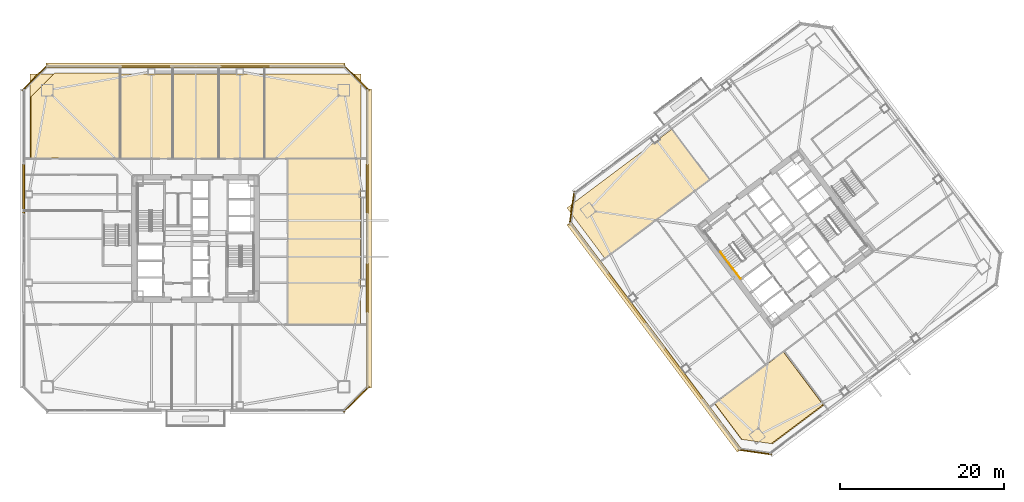
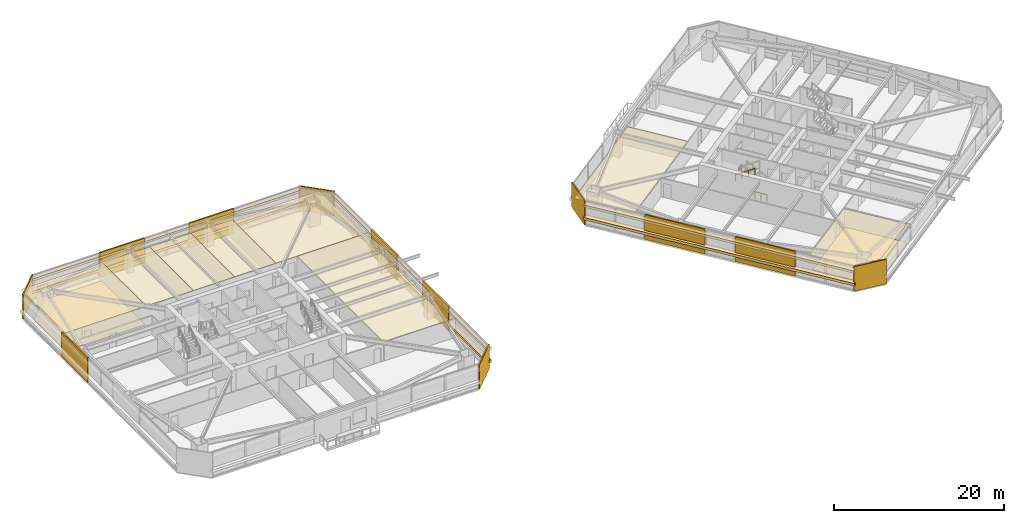
# One storey, part 40 of 44: 28 coverings, 2 railings.
"""IFC4 building model written with IfcOpenShell, lengths in metres."""

from ifc_helpers import new_model, si_unit, direction, frame, origin, origin_2d, place, context, subcontext, project, spatial, polyline, rectangle, outline, extrude, material, layer, layer_set, type_object, element, save


model = new_model("IFC4")

# Units and contexts
model_context = context("Model", 3, precision=1e-05, world=origin(), true_north=direction((0.0, 1.0)))
body_context = subcontext(model_context, "Body", "Model", "MODEL_VIEW")
ifc_project = project(units=[si_unit("LENGTHUNIT", "METRE"), si_unit("AREAUNIT", "SQUARE_METRE"), si_unit("VOLUMEUNIT", "CUBIC_METRE"), si_unit("PLANEANGLEUNIT", "RADIAN"), si_unit("MASSUNIT", "GRAM", prefix="KILO")], contexts=[model_context])

# Site, building, storey
site_placement = place(None, origin())
site = spatial("IfcSite", under=ifc_project, at=site_placement, CompositionType="ELEMENT")
building_placement = place(site_placement, origin())
building = spatial("IfcBuilding", under=site, at=building_placement, Name="Tashvorn Skyway Center", CompositionType="ELEMENT")
storey_placement = place(building_placement, frame((0.0, 0.0, 95.60009765625)))
storey = spatial("IfcBuildingStorey", under=building, at=storey_placement, Name="L25", CompositionType="ELEMENT", Elevation=95.60009765625)

# Coverings
ifc_material_1 = material(Name="Precast concrete C40/50", Category="concrete")
ifc_layer_1 = layer(ifc_material_1, 0.199951171875)
ifc_layer_set_1 = layer_set([ifc_layer_1], Name="Precast concrete C40/50")
covering_type_1 = type_object("IfcCoveringType", Name="COV-BRACE-CLAD", PredefinedType="CLADDING", material=ifc_layer_set_1)
for number, where, z_axis, x_axis, name in (
    (1, (21.02001953125, 38.06005859375, 0.0), (0.0, 0.0, 1.0), (0.0, 1.0, 0.0), "Tower 1 L25 West Unitised Curtain Wall Mega-Brace Cladding Band 2"),
    (2, (35.93994140625, 52.97998046875, 0.0), (0.0, 0.0, 1.0), (1.0, 0.0, 0.0), "Tower 1 L25 North Unitised Curtain Wall Mega-Brace Cladding Band 1"),
    (3, (48.06005859375, 52.97998046875, 0.0), (0.0, 0.0, 1.0), (1.0, 0.0, 0.0), "Tower 1 L25 North Unitised Curtain Wall Mega-Brace Cladding Band 2"),
    (4, (62.97998046875, 38.06005859375, 0.0), (0.0, 0.0, 1.0), (0.0, -1.0, 0.0), "Tower 1 L25 East Unitised Curtain Wall Mega-Brace Cladding Band 1"),
    (5, (62.97998046875, 25.93994140625, 0.0), (0.0, 0.0, 1.0), (0.0, -1.0, 0.0), "Tower 1 L25 East Unitised Curtain Wall Mega-Brace Cladding Band 2"),
):
    element("IfcCovering", number, at=place(storey_placement, frame(where, z_axis=z_axis, x_axis=x_axis)), inside=storey, type_object=covering_type_1, Name=name, PredefinedType="CLADDING", context=body_context, shape_type="SweptSolid", body=[
        extrude(rectangle(XDim=6.06005859375, YDim=0.199951171875, at=origin_2d()), origin(), (0.0, 0.0, 1.0), 3.550048828125),
    ])
for number, where, z_axis, x_axis, name in (
    (6, (101.552001953125, 15.464111328125, 0.0), (0.0, 0.0, 1.0), (-0.600000004945, 0.799999996291, 0.0), "Tower 2 L25 West Unitised Curtain Wall Mega-Brace Cladding Band 1"),
    (7, (94.639892578125, 24.679931640625, 0.0), (0.0, 0.0, 1.0), (-0.600000004945, 0.799999996291, 0.0), "Tower 2 L25 West Unitised Curtain Wall Mega-Brace Cladding Band 2"),
):
    element("IfcCovering", number, at=place(storey_placement, frame(where, z_axis=z_axis, x_axis=x_axis)), inside=storey, type_object=covering_type_1, Name=name, PredefinedType="CLADDING", context=body_context, shape_type="SweptSolid", body=[
        extrude(rectangle(XDim=7.679931640625, YDim=0.199951171875, at=origin_2d()), origin(), (0.0, 0.0, 1.0), 3.550048828125),
    ])
ifc_material_2 = material(Name="Mineral-fibre acoustic ceiling tile on suspended grid")
ifc_layer_2 = layer(ifc_material_2, 0.02001953125)
ifc_layer_set_2 = layer_set([ifc_layer_2], Name="Mineral-fibre acoustic ceiling tile on suspended grid")
covering_type_2 = type_object("IfcCoveringType", Name="COV-CEIL-20", PredefinedType="CEILING", material=ifc_layer_set_2)
covering_1_placement = place(storey_placement, frame((0.0, 0.0, 2.682861328125)))
element("IfcCovering", 8, at=covering_1_placement, inside=storey, type_object=covering_type_2, Name="Tower 1 L25 Research Library Acoustic Ceiling", PredefinedType="CEILING", context=body_context, shape_type="SweptSolid", body=[
    extrude(outline(polyline([(21.800048828125, 41.77001953125), (32.800048828125, 41.77001953125), (32.800048828125, 52.10009765625), (21.800048828125, 52.10009765625), (21.800048828125, 41.77001953125)])), origin(), (0.0, 0.0, 1.0), 0.02001953125),
])
covering_2_placement = place(storey_placement, frame((0.0, 0.0, 2.682861328125)))
element("IfcCovering", 9, at=covering_2_placement, inside=storey, type_object=covering_type_2, Name="Tower 1 L25 Research Library Acoustic Ceiling", PredefinedType="CEILING", context=body_context, shape_type="SweptSolid", body=[
    extrude(outline(polyline([(32.800048828125, 41.77001953125), (39.199951171875, 41.77001953125), (39.199951171875, 52.10009765625), (32.800048828125, 52.10009765625), (32.800048828125, 41.77001953125)])), origin(), (0.0, 0.0, 1.0), 0.02001953125),
])
covering_3_placement = place(storey_placement, frame((0.0, 0.0, 2.682861328125)))
element("IfcCovering", 10, at=covering_3_placement, inside=storey, type_object=covering_type_2, Name="Tower 1 L25 Reading Lounge Acoustic Ceiling", PredefinedType="CEILING", context=body_context, shape_type="SweptSolid", body=[
    extrude(outline(polyline([(39.199951171875, 41.77001953125), (44.800048828125, 41.77001953125), (44.800048828125, 52.10009765625), (39.199951171875, 52.10009765625), (39.199951171875, 41.77001953125)])), origin(), (0.0, 0.0, 1.0), 0.02001953125),
])
covering_4_placement = place(storey_placement, frame((0.0, 0.0, 2.682861328125)))
element("IfcCovering", 11, at=covering_4_placement, inside=storey, type_object=covering_type_2, Name="Tower 1 L25 Research Library Acoustic Ceiling", PredefinedType="CEILING", context=body_context, shape_type="SweptSolid", body=[
    extrude(outline(polyline([(44.800048828125, 41.77001953125), (50.39990234375, 41.77001953125), (50.39990234375, 52.10009765625), (44.800048828125, 52.10009765625), (44.800048828125, 41.77001953125)])), origin(), (0.0, 0.0, 1.0), 0.02001953125),
])
covering_5_placement = place(storey_placement, frame((0.0, 0.0, 2.682861328125)))
element("IfcCovering", 12, at=covering_5_placement, inside=storey, type_object=covering_type_2, Name="Tower 1 L25 Research Library Acoustic Ceiling", PredefinedType="CEILING", context=body_context, shape_type="SweptSolid", body=[
    extrude(outline(polyline([(50.39990234375, 41.77001953125), (62.199951171875, 41.77001953125), (62.199951171875, 52.10009765625), (50.39990234375, 52.10009765625), (50.39990234375, 41.77001953125)])), origin(), (0.0, 0.0, 1.0), 0.02001953125),
])
covering_6_placement = place(storey_placement, frame((0.0, 0.0, 2.682861328125)))
element("IfcCovering", 13, at=covering_6_placement, inside=storey, type_object=covering_type_2, Name="Tower 1 L25 Research Library Acoustic Ceiling", PredefinedType="CEILING", context=body_context, shape_type="SweptSolid", body=[
    extrude(outline(polyline([(53.25, 21.5), (62.10009765625, 21.5), (62.10009765625, 41.77001953125), (53.25, 41.77001953125), (53.25, 21.5)])), origin(), (0.0, 0.0, 1.0), 0.02001953125),
])
covering_7_placement = place(storey_placement, frame((0.0, 0.0, 2.682861328125)))
element("IfcCovering", 14, at=covering_7_placement, inside=storey, type_object=covering_type_2, Name="Tower 2 L25 Operations Control Room Acoustic Ceiling", PredefinedType="CEILING", context=body_context, shape_type="SweptSolid", body=[
    extrude(outline(polyline([(91.93994140625, 29.580078125), (104.739990234375, 39.179931640625), (100.1201171875, 45.340087890625), (87.320068359375, 35.739990234375), (91.93994140625, 29.580078125)])), origin(), (0.0, 0.0, 1.0), 0.02001953125),
])
covering_8_placement = place(storey_placement, frame((0.0, 0.0, 2.682861328125)))
element("IfcCovering", 15, at=covering_8_placement, inside=storey, type_object=covering_type_2, Name="Tower 2 L25 Operations Control Room Acoustic Ceiling", PredefinedType="CEILING", context=body_context, shape_type="SweptSolid", body=[
    extrude(outline(polyline([(105.3798828125, 11.860107421875), (113.748046875, 18.135986328125), (118.572021484375, 11.7041015625), (112.251953125, 6.964111328125), (108.66796875, 7.47607421875), (105.3798828125, 11.860107421875)])), origin(), (0.0, 0.0, 1.0), 0.02001953125),
])
ifc_material_3 = material(Name="Polished Mojave desert-aggregate terrazzo and cover plate")
ifc_layer_3 = layer(ifc_material_3, 0.0400390625)
ifc_layer_set_3 = layer_set([ifc_layer_3], Name="Polished Mojave desert-aggregate terrazzo and cover plate")
covering_type_3 = type_object("IfcCoveringType", Name="COV-FLR-40", PredefinedType="FLOORING", material=ifc_layer_set_3)
covering_9_placement = place(storey_placement, origin())
element("IfcCovering", 16, at=covering_9_placement, inside=storey, type_object=covering_type_3, Name="Tower 1 L25 Research Library Finish Flooring", PredefinedType="FLOORING", context=body_context, shape_type="SweptSolid", body=[
    extrude(outline(polyline([(32.719970703125, 41.85009765625), (21.8798828125, 41.85009765625), (21.8798828125, 49.280029296875), (24.800048828125, 52.199951171875), (32.719970703125, 52.199951171875), (32.719970703125, 41.85009765625)])), origin(), (0.0, 0.0, 1.0), 0.039794921875),
])
covering_10_placement = place(storey_placement, origin())
element("IfcCovering", 17, at=covering_10_placement, inside=storey, type_object=covering_type_3, Name="Tower 2 L25 Operations Control Room Finish Flooring", PredefinedType="FLOORING", context=body_context, shape_type="SweptSolid", body=[
    extrude(outline(polyline([(112.419921875, 6.93994140625), (108.612060546875, 7.48388671875), (105.3720703125, 11.803955078125), (113.803955078125, 18.1279296875), (118.676025390625, 11.632080078125), (112.419921875, 6.93994140625)])), origin(), (0.0, 0.0, 1.0), 0.039794921875),
])
ifc_material_4 = material(Name="Perforated ceramic-coated bronze aluminium solar screen", Category="aluminium")
ifc_layer_4 = layer(ifc_material_4, 0.85009765625)
ifc_layer_set_4 = layer_set([ifc_layer_4], Name="Perforated ceramic-coated bronze aluminium solar screen")
covering_type_4 = type_object("IfcCoveringType", Name="COV-SOLAR-BAND", PredefinedType="CLADDING", material=ifc_layer_set_4)
for number, where, z_axis, x_axis, name in (
    (18, (42.0, 53.1201171875, 0.919921875), (0.0, 0.0, 1.0), (1.0, 0.0, 0.0), "L25 Perforated Ceramic-Metal Solar Screen Louvre Band North 1"),
    (19, (42.0, 53.1201171875, 2.7197265625), (0.0, 0.0, 1.0), (1.0, 0.0, 0.0), "L25 Perforated Ceramic-Metal Solar Screen Louvre Band North 2"),
    (20, (63.1201171875, 32.0, 0.919921875), (0.0, 0.0, 1.0), (0.0, -1.0, 0.0), "L25 Perforated Ceramic-Metal Solar Screen Louvre Band East 1"),
    (21, (63.1201171875, 32.0, 2.7197265625), (0.0, 0.0, 1.0), (0.0, -1.0, 0.0), "L25 Perforated Ceramic-Metal Solar Screen Louvre Band East 2"),
):
    element("IfcCovering", number, at=place(storey_placement, frame(where, z_axis=z_axis, x_axis=x_axis)), inside=storey, type_object=covering_type_4, Name=name, PredefinedType="CLADDING", context=body_context, shape_type="SweptSolid", body=[
        extrude(rectangle(XDim=36.47998046875, YDim=0.639892578125, at=origin_2d()), origin(), (0.0, 0.0, 1.0), 0.360107421875),
    ])
for number, where, z_axis, x_axis, name in (
    (22, (97.98388671875, 19.988037109375, 0.919921875), (0.0, 0.0, 1.0), (-0.600000004945, 0.799999996291, 0.0), "L25 Perforated Ceramic-Metal Solar Screen Louvre Band West 1"),
    (23, (97.98388671875, 19.988037109375, 2.7197265625), (0.0, 0.0, 1.0), (-0.600000004945, 0.799999996291, 0.0), "L25 Perforated Ceramic-Metal Solar Screen Louvre Band West 2"),
):
    element("IfcCovering", number, at=place(storey_placement, frame(where, z_axis=z_axis, x_axis=x_axis)), inside=storey, type_object=covering_type_4, Name=name, PredefinedType="CLADDING", context=body_context, shape_type="SweptSolid", body=[
        extrude(rectangle(XDim=34.679931640625, YDim=0.639892578125, at=origin_2d()), origin(), (0.0, 0.0, 1.0), 0.360107421875),
    ])
ifc_layer_5 = layer(ifc_material_1, 0.35009765625)
ifc_layer_set_5 = layer_set([ifc_layer_5], Name="Precast concrete C40/50")
covering_type_5 = type_object("IfcCoveringType", Name="COV-STONE-TRIM", PredefinedType="CLADDING", material=ifc_layer_set_5)
for number, where, z_axis, x_axis, name in (
    (24, (22.3798828125, 51.6201171875, 0.02001953125), (0.0, 0.0, 1.0), (-0.707106781187, -0.707106781187, 0.0), "Tower 1 L25 NW Mojave Limestone Corner Quoin"),
    (25, (61.6201171875, 51.6201171875, 0.02001953125), (0.0, 0.0, 1.0), (0.707106781187, -0.707106781187, 0.0), "Tower 1 L25 NE Mojave Limestone Corner Quoin"),
    (26, (61.6201171875, 12.3798828125, 0.02001953125), (0.0, 0.0, 1.0), (0.707106781187, 0.707106781187, 0.0), "Tower 1 L25 SE Mojave Limestone Corner Quoin"),
):
    element("IfcCovering", number, at=place(storey_placement, frame(where, z_axis=z_axis, x_axis=x_axis)), inside=storey, type_object=covering_type_5, Name=name, PredefinedType="CLADDING", context=body_context, shape_type="SweptSolid", body=[
        extrude(rectangle(XDim=4.402587890625, YDim=0.139892578125, at=origin_2d()), origin(), (0.0, 0.0, 1.0), 3.510009765625),
    ])
for number, where, z_axis, x_axis, name in (
    (27, (110.27587890625, 5.931884765625, 0.02001953125), (0.0, 0.0, 1.0), (-0.989949494535, 0.141421350118, 0.0), "Tower 2 L25 SW Mojave Limestone Corner Quoin"),
    (28, (87.931884765625, 35.72412109375, 0.02001953125), (0.0, 0.0, 1.0), (-0.141421350118, -0.989949494535, 0.0), "Tower 2 L25 NW Mojave Limestone Corner Quoin"),
):
    element("IfcCovering", number, at=place(storey_placement, frame(where, z_axis=z_axis, x_axis=x_axis)), inside=storey, type_object=covering_type_5, Name=name, PredefinedType="CLADDING", context=body_context, shape_type="SweptSolid", body=[
        extrude(rectangle(XDim=4.119873046875, YDim=0.139892578125, at=origin_2d()), origin(), (0.0, 0.0, 1.0), 3.510009765625),
    ])

# Railings
ifc_material_5 = material(Name="Brushed stainless steel 316", Category="steel")
railing_type_1 = type_object("IfcRailingType", Name="RAIL-HAND-920", PredefinedType="HANDRAIL", material=ifc_material_5)
railing_1_placement = place(storey_placement, frame((106.072021484375, 30.35400390625, 1.952392578125)))
element("IfcRailing", 29, at=railing_1_placement, inside=storey, type_object=railing_type_1, Name="L25 ST-T2-1 stair handrail 2", PredefinedType="HANDRAIL", context=body_context, shape_type="SweptSolid", body=[
    extrude(rectangle(XDim=0.048095703125, YDim=0.048095703125, at=origin_2d()), frame((0.0, 0.0, 0.8759765625), z_axis=(0.506740800098, -0.675708949977, 0.535379469569), x_axis=(0.800023250257, 0.599968998406, 0.0)), (0.0, 0.0, 1.0), 2.983642578125),
    extrude(rectangle(XDim=0.0419921875, YDim=0.0419921875, at=origin_2d()), origin(), (0.0, 0.0, 1.0), 0.851806640625),
    extrude(rectangle(XDim=0.0419921875, YDim=0.0419921875, at=origin_2d()), frame((0.50390625, -0.672119140625, 0.532470703125)), (0.0, 0.0, 1.0), 0.851806640625),
    extrude(rectangle(XDim=0.0419921875, YDim=0.0419921875, at=origin_2d()), frame((1.008056640625, -1.343994140625, 1.06494140625)), (0.0, 0.0, 1.0), 0.851806640625),
    extrude(rectangle(XDim=0.0419921875, YDim=0.0419921875, at=origin_2d()), frame((1.511962890625, -2.01611328125, 1.597412109375)), (0.0, 0.0, 1.0), 0.851806640625),
])
ifc_material_6 = material(Name="Painted galvanized steel S355", Category="steel")
railing_type_2 = type_object("IfcRailingType", Name="RAIL-STGUARD-1100", PredefinedType="GUARDRAIL", material=ifc_material_6)
railing_2_placement = place(storey_placement, frame((108.49609375, 27.1220703125, 0.0)))
element("IfcRailing", 30, at=railing_2_placement, inside=storey, type_object=railing_type_2, Name="L25 ST-T2-1 stair guard 6", PredefinedType="GUARDRAIL", context=body_context, shape_type="SweptSolid", body=[
    extrude(rectangle(XDim=0.048095703125, YDim=0.048095703125, at=origin_2d()), frame((0.0, 0.0, 1.076171875), z_axis=(-0.600102796382, 0.799922892393, 0.0), x_axis=(-0.799922892393, -0.600102796382, 0.0)), (0.0, 0.0, 1.0), 1.52001953125),
    extrude(rectangle(XDim=0.0419921875, YDim=0.0419921875, at=origin_2d()), origin(), (0.0, 0.0, 1.0), 1.052001953125),
    extrude(rectangle(XDim=0.0419921875, YDim=0.0419921875, at=origin_2d()), frame((-0.4560546875, 0.60791015625, 0.0)), (0.0, 0.0, 1.0), 1.052001953125),
    extrude(rectangle(XDim=0.0419921875, YDim=0.0419921875, at=origin_2d()), frame((-0.912109375, 1.2158203125, 0.0)), (0.0, 0.0, 1.0), 1.052001953125),
])

save(model, "model.ifc")
